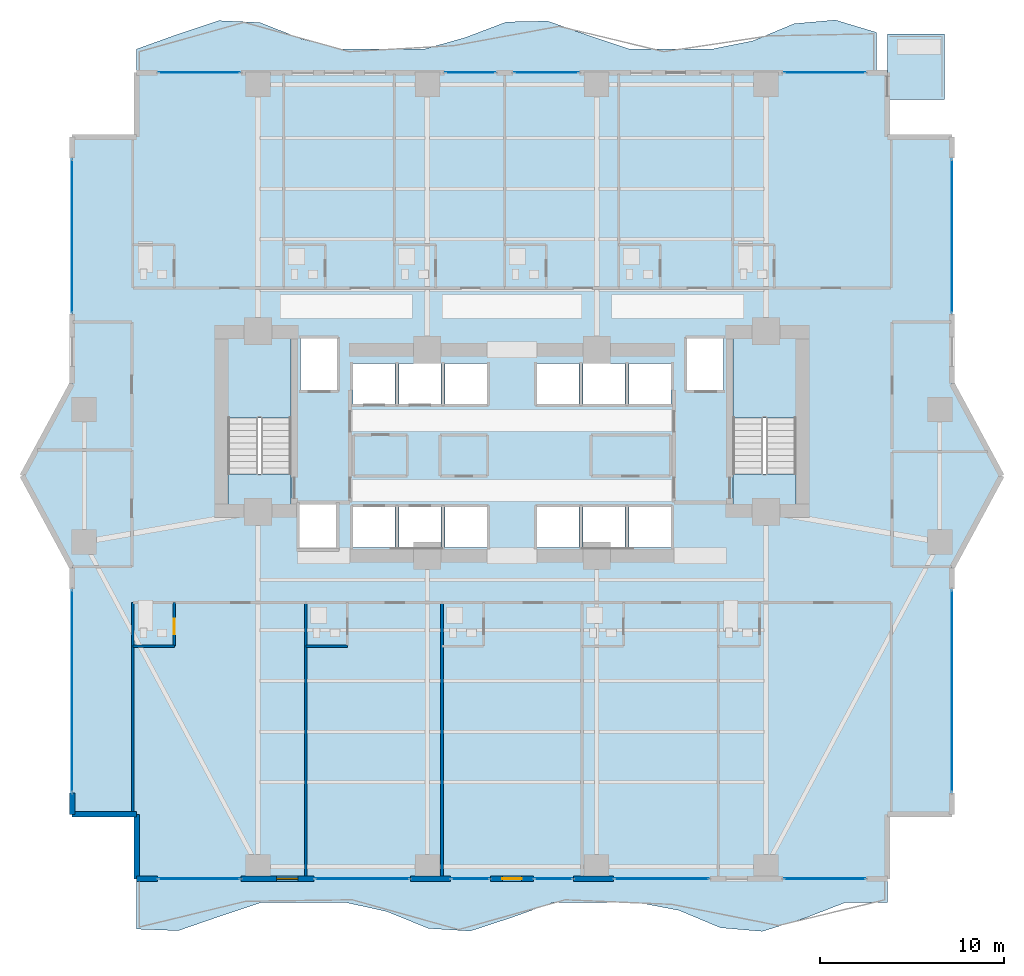
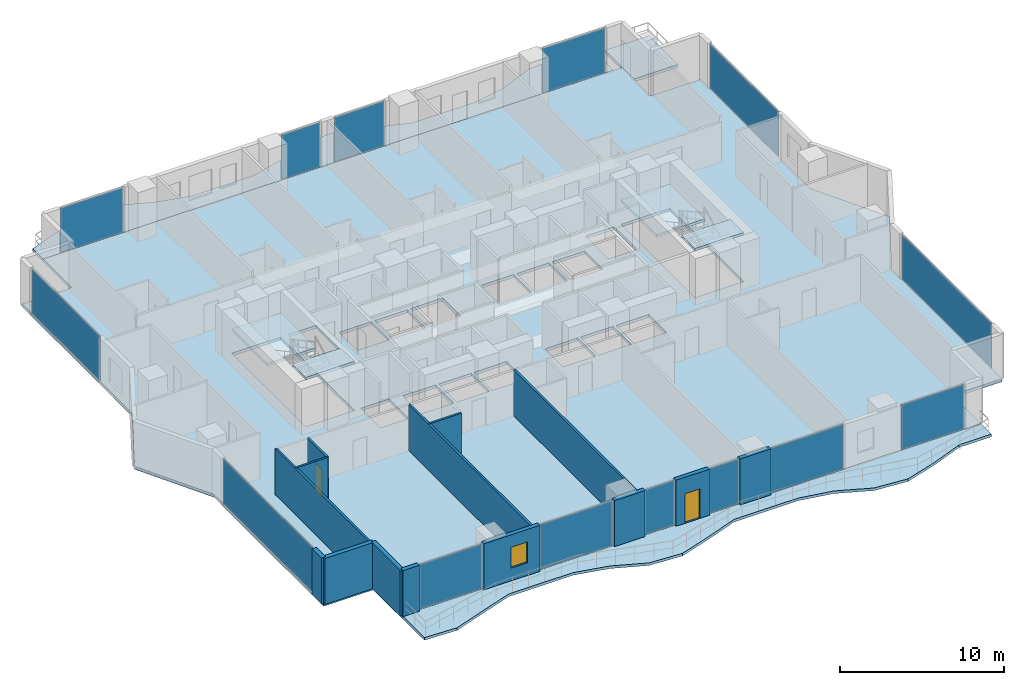
# One storey, part 19 of 27: 14 plates, 14 walls, 8 slabs, 2 doors, 1 window, 3 openings, 16 elements without a shape of their own.
"""IFC4 building model written with IfcOpenShell, lengths in metres."""

from ifc_helpers import new_model, si_unit, direction, frame, frame_2d, origin, origin_2d, place, context, subcontext, project, spatial, polyline, rectangle, outline, extrude, material, layer, layer_set, type_object, element, fill, aggregate, save


model = new_model("IFC4")

# Units and contexts
model_context = context("Model", 3, precision=1e-05, world=origin(), true_north=direction((0.0, 1.0)))
body_context = subcontext(model_context, "Body", "Model", "MODEL_VIEW")
ifc_project = project(units=[si_unit("LENGTHUNIT", "METRE"), si_unit("AREAUNIT", "SQUARE_METRE"), si_unit("VOLUMEUNIT", "CUBIC_METRE"), si_unit("PLANEANGLEUNIT", "RADIAN"), si_unit("MASSUNIT", "GRAM", prefix="KILO")], contexts=[model_context])

# Site, building, storey
site_placement = place(None, origin())
site = spatial("IfcSite", under=ifc_project, at=site_placement, CompositionType="ELEMENT")
building_placement = place(site_placement, origin())
building = spatial("IfcBuilding", under=site, at=building_placement, Name="Zuhayl Quay Hotel", CompositionType="ELEMENT")
storey_placement = place(building_placement, frame((0.0, 0.0, 102.949951171875)))
storey = spatial("IfcBuildingStorey", under=building, at=storey_placement, Name="L25", CompositionType="ELEMENT", Elevation=102.949951171875)

# Curtain wall, plate
ifc_material_1 = material(Name="Anodised Aluminium 6063-T6", Category="aluminium")
ifc_layer_1 = layer(ifc_material_1, 0.179931640625, Name="Anodised Aluminium 6063-T6", Category="aluminium")
ifc_layer_set_1 = layer_set([ifc_layer_1], Name="Anodised Aluminium 6063-T6")
curtain_wall_type = type_object("IfcCurtainWallType", Name="CW_SYS_Z2", PredefinedType="USERDEFINED", material=ifc_layer_set_1)
curtain_wall_1_placement = place(storey_placement, origin())
curtain_wall_1 = element("IfcCurtainWall", 1, at=curtain_wall_1_placement, inside=storey, type_object=curtain_wall_type, Name="L25 Curtain Wall ENV_L25_E02_CW1", ObjectType="UNITISED CURTAIN WALL", PredefinedType="USERDEFINED")
ifc_material_2 = material(Name="Dark Ceramic-Fritted Solar Glass", Category="glass")
ifc_layer_2 = layer(ifc_material_2, 0.035888671875, Name="Dark Ceramic-Fritted Solar Glass", Category="glass")
ifc_layer_set_2 = layer_set([ifc_layer_2], Name="Dark Ceramic-Fritted Solar Glass")
plate_type = type_object("IfcPlateType", Name="PN_DARK_FRIT_Z1", PredefinedType="CURTAIN_PANEL", material=ifc_layer_set_2)
plate_1_placement = place(storey_placement, frame((-23.89990234375, -5.199951171875, 0.06005859375), z_axis=(0.0, 0.0, 1.0), x_axis=(0.0, 1.0, 0.0)))
plate_1 = element("IfcPlate", 2, at=plate_1_placement, type_object=plate_type, Name="CW-Z2 panel 1.1", PredefinedType="CURTAIN_PANEL", context=body_context, shape_type="SweptSolid", body=[
    extrude(rectangle(XDim=10.969970703125, YDim=0.035888671875, at=origin_2d()), origin(), (0.0, 0.0, 1.0), 3.31005859375),
])
aggregate(curtain_wall_1, [plate_1])

curtain_wall_2_placement = place(storey_placement, origin())
curtain_wall_2 = element("IfcCurtainWall", 3, at=curtain_wall_2_placement, inside=storey, type_object=curtain_wall_type, Name="L25 Curtain Wall ENV_L25_E05_CW1", ObjectType="UNITISED CURTAIN WALL", PredefinedType="USERDEFINED")
plate_2_placement = place(storey_placement, frame((-23.89990234375, 19.52490234375, 0.06005859375), z_axis=(0.0, 0.0, 1.0), x_axis=(0.0, 1.0, 0.0)))
plate_2 = element("IfcPlate", 4, at=plate_2_placement, type_object=plate_type, Name="CW-Z2 panel 1.1", PredefinedType="CURTAIN_PANEL", context=body_context, shape_type="SweptSolid", body=[
    extrude(rectangle(XDim=8.320068359375, YDim=0.035888671875, at=origin_2d()), origin(), (0.0, 0.0, 1.0), 3.31005859375),
])
aggregate(curtain_wall_2, [plate_2])

curtain_wall_3_placement = place(storey_placement, origin())
curtain_wall_3 = element("IfcCurtainWall", 5, at=curtain_wall_3_placement, inside=storey, type_object=curtain_wall_type, Name="L25 Curtain Wall ENV_L25_N_CW1", ObjectType="UNITISED CURTAIN WALL", PredefinedType="USERDEFINED")
plate_3_placement = place(storey_placement, frame((-16.985107421875, 28.39990234375, 0.06005859375), z_axis=(0.0, 0.0, 1.0), x_axis=(1.0, 0.0, 0.0)))
plate_3 = element("IfcPlate", 6, at=plate_3_placement, type_object=plate_type, Name="CW-Z2 panel 1.1", PredefinedType="CURTAIN_PANEL", context=body_context, shape_type="SweptSolid", body=[
    extrude(rectangle(XDim=4.39990234375, YDim=0.035888671875, at=origin_2d()), origin(), (0.0, 0.0, 1.0), 3.31005859375),
])
aggregate(curtain_wall_3, [plate_3])

curtain_wall_4_placement = place(storey_placement, origin())
curtain_wall_4 = element("IfcCurtainWall", 7, at=curtain_wall_4_placement, inside=storey, type_object=curtain_wall_type, Name="L25 Curtain Wall ENV_L25_N_CW2", ObjectType="UNITISED CURTAIN WALL", PredefinedType="USERDEFINED")
plate_4_placement = place(storey_placement, frame((-2.264892578125, 28.39990234375, 0.06005859375), z_axis=(0.0, 0.0, 1.0), x_axis=(1.0, 0.0, 0.0)))
plate_4 = element("IfcPlate", 8, at=plate_4_placement, type_object=plate_type, Name="CW-Z2 panel 1.1", PredefinedType="CURTAIN_PANEL", context=body_context, shape_type="SweptSolid", body=[
    extrude(rectangle(XDim=2.699951171875, YDim=0.035888671875, at=origin_2d()), origin(), (0.0, 0.0, 1.0), 3.31005859375),
])
aggregate(curtain_wall_4, [plate_4])

curtain_wall_5_placement = place(storey_placement, origin())
curtain_wall_5 = element("IfcCurtainWall", 9, at=curtain_wall_5_placement, inside=storey, type_object=curtain_wall_type, Name="L25 Curtain Wall ENV_L25_N_CW3", ObjectType="UNITISED CURTAIN WALL", PredefinedType="USERDEFINED")
plate_5_placement = place(storey_placement, frame((1.864990234375, 28.39990234375, 0.06005859375), z_axis=(0.0, 0.0, 1.0), x_axis=(1.0, 0.0, 0.0)))
plate_5 = element("IfcPlate", 10, at=plate_5_placement, type_object=plate_type, Name="CW-Z2 panel 1.1", PredefinedType="CURTAIN_PANEL", context=body_context, shape_type="SweptSolid", body=[
    extrude(rectangle(XDim=3.5, YDim=0.035888671875, at=origin_2d()), origin(), (0.0, 0.0, 1.0), 3.31005859375),
])
aggregate(curtain_wall_5, [plate_5])

curtain_wall_6_placement = place(storey_placement, origin())
curtain_wall_6 = element("IfcCurtainWall", 11, at=curtain_wall_6_placement, inside=storey, type_object=curtain_wall_type, Name="L25 Curtain Wall ENV_L25_N_CW4", ObjectType="UNITISED CURTAIN WALL", PredefinedType="USERDEFINED")
plate_6_placement = place(storey_placement, frame((16.985107421875, 28.39990234375, 0.06005859375), z_axis=(0.0, 0.0, 1.0), x_axis=(1.0, 0.0, 0.0)))
plate_6 = element("IfcPlate", 12, at=plate_6_placement, type_object=plate_type, Name="CW-Z2 panel 1.1", PredefinedType="CURTAIN_PANEL", context=body_context, shape_type="SweptSolid", body=[
    extrude(rectangle(XDim=4.39990234375, YDim=0.035888671875, at=origin_2d()), origin(), (0.0, 0.0, 1.0), 3.31005859375),
])
aggregate(curtain_wall_6, [plate_6])

curtain_wall_7_placement = place(storey_placement, origin())
curtain_wall_7 = element("IfcCurtainWall", 13, at=curtain_wall_7_placement, inside=storey, type_object=curtain_wall_type, Name="L25 Curtain Wall ENV_L25_E11_CW1", ObjectType="UNITISED CURTAIN WALL", PredefinedType="USERDEFINED")
plate_7_placement = place(storey_placement, frame((23.89990234375, 19.52490234375, 0.06005859375), z_axis=(0.0, 0.0, 1.0), x_axis=(0.0, -1.0, 0.0)))
plate_7 = element("IfcPlate", 14, at=plate_7_placement, type_object=plate_type, Name="CW-Z2 panel 1.1", PredefinedType="CURTAIN_PANEL", context=body_context, shape_type="SweptSolid", body=[
    extrude(rectangle(XDim=8.320068359375, YDim=0.035888671875, at=origin_2d()), origin(), (0.0, 0.0, 1.0), 3.31005859375),
])
aggregate(curtain_wall_7, [plate_7])

curtain_wall_8_placement = place(storey_placement, origin())
curtain_wall_8 = element("IfcCurtainWall", 15, at=curtain_wall_8_placement, inside=storey, type_object=curtain_wall_type, Name="L25 Curtain Wall ENV_L25_E14_CW1", ObjectType="UNITISED CURTAIN WALL", PredefinedType="USERDEFINED")
plate_8_placement = place(storey_placement, frame((23.89990234375, -5.199951171875, 0.06005859375), z_axis=(0.0, 0.0, 1.0), x_axis=(0.0, -1.0, 0.0)))
plate_8 = element("IfcPlate", 16, at=plate_8_placement, type_object=plate_type, Name="CW-Z2 panel 1.1", PredefinedType="CURTAIN_PANEL", context=body_context, shape_type="SweptSolid", body=[
    extrude(rectangle(XDim=10.969970703125, YDim=0.035888671875, at=origin_2d()), origin(), (0.0, 0.0, 1.0), 3.31005859375),
])
aggregate(curtain_wall_8, [plate_8])

curtain_wall_9_placement = place(storey_placement, origin())
curtain_wall_9 = element("IfcCurtainWall", 17, at=curtain_wall_9_placement, inside=storey, type_object=curtain_wall_type, Name="L25 Curtain Wall ENV_L25_S_CW1", ObjectType="UNITISED CURTAIN WALL", PredefinedType="USERDEFINED")
plate_9_placement = place(storey_placement, frame((16.985107421875, -15.39990234375, 0.06005859375), z_axis=(0.0, 0.0, 1.0), x_axis=(-1.0, 0.0, 0.0)))
plate_9 = element("IfcPlate", 18, at=plate_9_placement, type_object=plate_type, Name="CW-Z2 panel 1.1", PredefinedType="CURTAIN_PANEL", context=body_context, shape_type="SweptSolid", body=[
    extrude(rectangle(XDim=4.39990234375, YDim=0.035888671875, at=origin_2d()), origin(), (0.0, 0.0, 1.0), 3.31005859375),
])
aggregate(curtain_wall_9, [plate_9])

curtain_wall_10_placement = place(storey_placement, origin())
curtain_wall_10 = element("IfcCurtainWall", 19, at=curtain_wall_10_placement, inside=storey, type_object=curtain_wall_type, Name="L25 Curtain Wall ENV_L25_S_CW2", ObjectType="UNITISED CURTAIN WALL", PredefinedType="USERDEFINED")
plate_10_placement = place(storey_placement, frame((8.135009765625, -15.39990234375, 0.06005859375), z_axis=(0.0, 0.0, 1.0), x_axis=(-1.0, 0.0, 0.0)))
plate_10 = element("IfcPlate", 20, at=plate_10_placement, type_object=plate_type, Name="CW-Z2 panel 1.1", PredefinedType="CURTAIN_PANEL", context=body_context, shape_type="SweptSolid", body=[
    extrude(rectangle(XDim=5.10009765625, YDim=0.035888671875, at=origin_2d()), origin(), (0.0, 0.0, 1.0), 3.31005859375),
])
aggregate(curtain_wall_10, [plate_10])

curtain_wall_11_placement = place(storey_placement, origin())
curtain_wall_11 = element("IfcCurtainWall", 21, at=curtain_wall_11_placement, inside=storey, type_object=curtain_wall_type, Name="L25 Curtain Wall ENV_L25_S_CW3", ObjectType="UNITISED CURTAIN WALL", PredefinedType="USERDEFINED")
plate_11_placement = place(storey_placement, frame((2.262451171875, -15.39990234375, 0.06005859375), z_axis=(0.0, 0.0, 1.0), x_axis=(-1.0, 0.0, 0.0)))
plate_11 = element("IfcPlate", 22, at=plate_11_placement, type_object=plate_type, Name="CW-Z2 panel 1.1", PredefinedType="CURTAIN_PANEL", context=body_context, shape_type="SweptSolid", body=[
    extrude(rectangle(XDim=2.044921875, YDim=0.035888671875, at=origin_2d()), origin(), (0.0, 0.0, 1.0), 3.31005859375),
])
aggregate(curtain_wall_11, [plate_11])

curtain_wall_12_placement = place(storey_placement, origin())
curtain_wall_12 = element("IfcCurtainWall", 23, at=curtain_wall_12_placement, inside=storey, type_object=curtain_wall_type, Name="L25 Curtain Wall ENV_L25_S_CW4", ObjectType="UNITISED CURTAIN WALL", PredefinedType="USERDEFINED")
plate_12_placement = place(storey_placement, frame((-2.262451171875, -15.39990234375, 0.06005859375), z_axis=(0.0, 0.0, 1.0), x_axis=(-1.0, 0.0, 0.0)))
plate_12 = element("IfcPlate", 24, at=plate_12_placement, type_object=plate_type, Name="CW-Z2 panel 1.1", PredefinedType="CURTAIN_PANEL", context=body_context, shape_type="SweptSolid", body=[
    extrude(rectangle(XDim=2.044921875, YDim=0.035888671875, at=origin_2d()), origin(), (0.0, 0.0, 1.0), 3.31005859375),
])
aggregate(curtain_wall_12, [plate_12])

curtain_wall_13_placement = place(storey_placement, origin())
curtain_wall_13 = element("IfcCurtainWall", 25, at=curtain_wall_13_placement, inside=storey, type_object=curtain_wall_type, Name="L25 Curtain Wall ENV_L25_S_CW5", ObjectType="UNITISED CURTAIN WALL", PredefinedType="USERDEFINED")
plate_13_placement = place(storey_placement, frame((-8.135009765625, -15.39990234375, 0.06005859375), z_axis=(0.0, 0.0, 1.0), x_axis=(-1.0, 0.0, 0.0)))
plate_13 = element("IfcPlate", 26, at=plate_13_placement, type_object=plate_type, Name="CW-Z2 panel 1.1", PredefinedType="CURTAIN_PANEL", context=body_context, shape_type="SweptSolid", body=[
    extrude(rectangle(XDim=5.10009765625, YDim=0.035888671875, at=origin_2d()), origin(), (0.0, 0.0, 1.0), 3.31005859375),
])
aggregate(curtain_wall_13, [plate_13])

curtain_wall_14_placement = place(storey_placement, origin())
curtain_wall_14 = element("IfcCurtainWall", 27, at=curtain_wall_14_placement, inside=storey, type_object=curtain_wall_type, Name="L25 Curtain Wall ENV_L25_S_CW6", ObjectType="UNITISED CURTAIN WALL", PredefinedType="USERDEFINED")
plate_14_placement = place(storey_placement, frame((-16.985107421875, -15.39990234375, 0.06005859375), z_axis=(0.0, 0.0, 1.0), x_axis=(-1.0, 0.0, 0.0)))
plate_14 = element("IfcPlate", 28, at=plate_14_placement, type_object=plate_type, Name="CW-Z2 panel 1.1", PredefinedType="CURTAIN_PANEL", context=body_context, shape_type="SweptSolid", body=[
    extrude(rectangle(XDim=4.39990234375, YDim=0.035888671875, at=origin_2d()), origin(), (0.0, 0.0, 1.0), 3.31005859375),
])
aggregate(curtain_wall_14, [plate_14])

# Slabs
ifc_material_3 = material(Name="Concrete C45/55", Category="concrete")
ifc_layer_3 = layer(ifc_material_3, 0.195068359375, Name="Concrete C45/55", Category="concrete")
ifc_layer_set_3 = layer_set([ifc_layer_3], Name="Concrete C45/55")
slab_type_1 = type_object("IfcSlabType", Name="SL_BALCONY_195", PredefinedType="FLOOR", material=ifc_layer_set_3)
slab_1_placement = place(storey_placement, frame((0.0, 0.0, -0.195068359375)))
element("IfcSlab", 29, at=slab_1_placement, inside=storey, type_object=slab_type_1, Name="L25 Exterior Rippling Balcony Slab North", PredefinedType="FLOOR", context=body_context, shape_type="SweptSolid", body=[
    extrude(outline(polyline([(-20.39990234375, 28.39990234375), (19.800048828125, 28.39990234375), (19.800048828125, 30.588134765625), (17.566650390625, 31.261474609375), (15.333251953125, 31.061279296875), (13.10009765625, 30.1318359375), (10.86669921875, 29.679931640625), (8.63330078125, 29.679931640625), (6.39990234375, 29.679931640625), (4.166748046875, 30.420654296875), (1.933349609375, 31.204833984375), (-0.300048828125, 31.15625), (-2.533203125, 30.309814453125), (-4.7666015625, 29.679931640625), (-7.0, 29.679931640625), (-9.2333984375, 29.679931640625), (-11.466796875, 30.24560546875), (-13.699951171875, 31.124267578125), (-15.933349609375, 31.228271484375), (-18.166748046875, 30.482666015625), (-20.39990234375, 29.679931640625), (-20.39990234375, 28.39990234375)])), origin(), (0.0, 0.0, 1.0), 0.195068359375),
])
slab_2_placement = place(storey_placement, frame((0.0, 0.0, -0.195068359375)))
element("IfcSlab", 30, at=slab_2_placement, inside=storey, type_object=slab_type_1, Name="L25 Exterior Rippling Balcony Slab South", PredefinedType="FLOOR", context=body_context, shape_type="SweptSolid", body=[
    extrude(outline(polyline([(-20.39990234375, -18.132568359375), (-18.13330078125, -18.217041015625), (-15.86669921875, -17.436279296875), (-13.60009765625, -16.679931640625), (-11.333251953125, -16.679931640625), (-9.066650390625, -16.679931640625), (-6.800048828125, -17.1806640625), (-4.533203125, -18.098388671875), (-2.2666015625, -18.23876953125), (0.0, -17.498046875), (2.2666015625, -16.679931640625), (4.533203125, -16.679931640625), (6.800048828125, -16.679931640625), (9.066650390625, -17.115478515625), (11.333251953125, -18.061279296875), (13.60009765625, -18.25732421875), (15.86669921875, -17.558349609375), (18.13330078125, -16.679931640625), (20.39990234375, -16.679931640625), (20.39990234375, -15.39990234375), (-20.39990234375, -15.39990234375), (-20.39990234375, -18.132568359375)])), origin(), (0.0, 0.0, 1.0), 0.195068359375),
])
ifc_layer_4 = layer(ifc_material_3, 0.219970703125, Name="Concrete C45/55", Category="concrete")
ifc_layer_set_4 = layer_set([ifc_layer_4], Name="Concrete C45/55")
slab_type_2 = type_object("IfcSlabType", Name="SL_FLOOR_220", PredefinedType="FLOOR", material=ifc_layer_set_4)
slab_3_placement = place(storey_placement, frame((0.0, 0.0, -0.219970703125)))
element("IfcSlab", 31, at=slab_3_placement, inside=storey, type_object=slab_type_2, Name="L25 Structural Floor Slab", PredefinedType="FLOOR", context=body_context, shape_type="SweptSolid", body=[
    extrude(outline(polyline([(-20.39990234375, -15.39990234375), (20.39990234375, -15.39990234375), (20.39990234375, -11.89990234375), (23.89990234375, -11.89990234375), (23.89990234375, 1.5), (26.60009765625, 6.5), (23.89990234375, 11.5), (23.89990234375, 24.89990234375), (20.39990234375, 24.89990234375), (20.39990234375, 28.39990234375), (-20.39990234375, 28.39990234375), (-20.39990234375, 24.89990234375), (-23.89990234375, 24.89990234375), (-23.89990234375, 11.5), (-26.60009765625, 6.5), (-23.89990234375, 1.5), (-23.89990234375, -11.89990234375), (-20.39990234375, -11.89990234375), (-20.39990234375, -15.39990234375)]), holes=[polyline([(-12.0, 4.949951171875), (-12.0, 13.949951171875), (-15.429931640625, 13.949951171875), (-15.429931640625, 4.949951171875), (-12.0, 4.949951171875)]), polyline([(15.429931640625, 4.949951171875), (15.429931640625, 13.949951171875), (12.0, 13.949951171875), (12.0, 4.949951171875), (15.429931640625, 4.949951171875)]), polyline([(-11.5, 11.14990234375), (-9.5, 11.14990234375), (-9.5, 13.949951171875), (-11.5, 13.949951171875), (-11.5, 11.14990234375)]), polyline([(9.5, 11.14990234375), (11.5, 11.14990234375), (11.5, 13.949951171875), (9.5, 13.949951171875), (9.5, 11.14990234375)]), polyline([(-8.64990234375, 2.60009765625), (-6.35009765625, 2.60009765625), (-6.35009765625, 4.800048828125), (-8.64990234375, 4.800048828125), (-8.64990234375, 2.60009765625)]), polyline([(-6.14990234375, 2.60009765625), (-3.85009765625, 2.60009765625), (-3.85009765625, 4.800048828125), (-6.14990234375, 4.800048828125), (-6.14990234375, 2.60009765625)]), polyline([(-8.64990234375, 10.39990234375), (-6.35009765625, 10.39990234375), (-6.35009765625, 12.60009765625), (-8.64990234375, 12.60009765625), (-8.64990234375, 10.39990234375)]), polyline([(-6.14990234375, 10.39990234375), (-3.85009765625, 10.39990234375), (-3.85009765625, 12.60009765625), (-6.14990234375, 12.60009765625), (-6.14990234375, 10.39990234375)]), polyline([(-3.64990234375, 2.60009765625), (-1.35009765625, 2.60009765625), (-1.35009765625, 4.800048828125), (-3.64990234375, 4.800048828125), (-3.64990234375, 2.60009765625)]), polyline([(1.35009765625, 2.60009765625), (3.64990234375, 2.60009765625), (3.64990234375, 4.800048828125), (1.35009765625, 4.800048828125), (1.35009765625, 2.60009765625)]), polyline([(-3.64990234375, 10.39990234375), (-1.35009765625, 10.39990234375), (-1.35009765625, 12.60009765625), (-3.64990234375, 12.60009765625), (-3.64990234375, 10.39990234375)]), polyline([(1.35009765625, 10.39990234375), (3.64990234375, 10.39990234375), (3.64990234375, 12.60009765625), (1.35009765625, 12.60009765625), (1.35009765625, 10.39990234375)]), polyline([(3.85009765625, 2.60009765625), (6.14990234375, 2.60009765625), (6.14990234375, 4.800048828125), (3.85009765625, 4.800048828125), (3.85009765625, 2.60009765625)]), polyline([(6.35009765625, 2.60009765625), (8.64990234375, 2.60009765625), (8.64990234375, 4.800048828125), (6.35009765625, 4.800048828125), (6.35009765625, 2.60009765625)]), polyline([(3.85009765625, 10.39990234375), (6.14990234375, 10.39990234375), (6.14990234375, 12.60009765625), (3.85009765625, 12.60009765625), (3.85009765625, 10.39990234375)]), polyline([(6.35009765625, 10.39990234375), (8.64990234375, 10.39990234375), (8.64990234375, 12.60009765625), (6.35009765625, 12.60009765625), (6.35009765625, 10.39990234375)]), polyline([(-11.550048828125, 2.550048828125), (-9.550048828125, 2.550048828125), (-9.550048828125, 4.949951171875), (-11.550048828125, 4.949951171875), (-11.550048828125, 2.550048828125)])]), origin(), (0.0, 0.0, 1.0), 0.219970703125),
])

# Stair, slabs
stair_type = type_object("IfcStairType", Name="ST_DOGLEG_TOWER", PredefinedType="HALF_TURN_STAIR", material=ifc_material_3)
stair_1_placement = place(storey_placement, origin())
stair_1 = element("IfcStair", 32, at=stair_1_placement, inside=storey, type_object=stair_type, Name="L25 Smokeproof Exit Stair ST1", PredefinedType="HALF_TURN_STAIR")
ifc_layer_5 = layer(ifc_material_3, 0.199951171875, Name="Concrete C45/55", Category="concrete")
ifc_layer_set_5 = layer_set([ifc_layer_5], Name="Concrete C45/55")
slab_type_3 = type_object("IfcSlabType", Name="SL_STAIR_LANDING_200", PredefinedType="LANDING", material=ifc_layer_set_5)
slab_4_placement = place(storey_placement, frame((0.0, 0.0, 1.625)))
slab_4 = element("IfcSlab", 33, at=slab_4_placement, type_object=slab_type_3, Name="ST1 landing 1", PredefinedType="LANDING", context=body_context, shape_type="SweptSolid", body=[
    extrude(outline(polyline([(-12.0, 9.64990234375), (-12.0, 13.949951171875), (-15.429931640625, 13.949951171875), (-15.429931640625, 9.64990234375), (-12.0, 9.64990234375)])), origin(), (0.0, 0.0, 1.0), 0.199951171875),
])
slab_5_placement = place(storey_placement, frame((0.0, 0.0, 3.449951171875)))
slab_5 = element("IfcSlab", 34, at=slab_5_placement, type_object=slab_type_3, Name="ST1 landing 2", PredefinedType="LANDING", context=body_context, shape_type="SweptSolid", body=[
    extrude(outline(polyline([(-12.0, 4.949951171875), (-12.0, 6.590087890625), (-15.429931640625, 6.590087890625), (-15.429931640625, 4.949951171875), (-12.0, 4.949951171875)])), origin(), (0.0, 0.0, 1.0), 0.2001953125),
])
aggregate(stair_1, [slab_4, slab_5])

stair_2_placement = place(storey_placement, origin())
stair_2 = element("IfcStair", 35, at=stair_2_placement, inside=storey, type_object=stair_type, Name="L25 Smokeproof Exit Stair ST2", PredefinedType="HALF_TURN_STAIR")
slab_6_placement = place(storey_placement, frame((0.0, 0.0, 1.625)))
slab_6 = element("IfcSlab", 36, at=slab_6_placement, type_object=slab_type_3, Name="ST2 landing 1", PredefinedType="LANDING", context=body_context, shape_type="SweptSolid", body=[
    extrude(outline(polyline([(15.429931640625, 9.64990234375), (15.429931640625, 13.949951171875), (12.0, 13.949951171875), (12.0, 9.64990234375), (15.429931640625, 9.64990234375)])), origin(), (0.0, 0.0, 1.0), 0.199951171875),
])
slab_7_placement = place(storey_placement, frame((0.0, 0.0, 3.449951171875)))
slab_7 = element("IfcSlab", 37, at=slab_7_placement, type_object=slab_type_3, Name="ST2 landing 2", PredefinedType="LANDING", context=body_context, shape_type="SweptSolid", body=[
    extrude(outline(polyline([(15.429931640625, 4.949951171875), (15.429931640625, 6.590087890625), (12.0, 6.590087890625), (12.0, 4.949951171875), (15.429931640625, 4.949951171875)])), origin(), (0.0, 0.0, 1.0), 0.2001953125),
])
aggregate(stair_2, [slab_6, slab_7])

# Slab
ifc_layer_6 = layer(ifc_material_3, 0.219970703125, Name="Concrete C45/55", Category="concrete")
ifc_layer_set_6 = layer_set([ifc_layer_6], Name="Concrete C45/55")
slab_type_4 = type_object("IfcSlabType", Name="SL_TERRACE_235", PredefinedType="FLOOR", material=ifc_layer_set_6)
slab_8_placement = place(storey_placement, frame((0.0, 0.0, -0.219970703125)))
element("IfcSlab", 38, at=slab_8_placement, inside=storey, type_object=slab_type_4, Name="L25 Exterior Sky-Terrace Slab L25_SPIRAL_NE", PredefinedType="FLOOR", context=body_context, shape_type="SweptSolid", body=[
    extrude(outline(polyline([(20.39990234375, 26.949951171875), (23.5, 26.949951171875), (23.5, 30.5), (20.39990234375, 30.5), (20.39990234375, 26.949951171875)])), origin(), (0.0, 0.0, 1.0), 0.219970703125),
])

# Walls
ifc_material_4 = material(Name="Precast concrete C45/55", Category="concrete")
ifc_layer_7 = layer(ifc_material_4, 0.300048828125, Name="Precast concrete C45/55", Category="concrete")
ifc_layer_set_7 = layer_set([ifc_layer_7], Name="Precast concrete C45/55")
wall_type_1 = type_object("IfcWallType", Name="WL_EXT_300", PredefinedType="STANDARD", material=ifc_layer_set_7)
wall_1_placement = place(storey_placement, frame((-20.39990234375, -11.89990234375, 0.0), z_axis=(0.0, 0.0, 1.0), x_axis=(-1.0, 0.0, 0.0)))
element("IfcWall", 39, at=wall_1_placement, inside=storey, type_object=wall_type_1, Name="L25 Exterior Precast Wall ENV_L25_EW01", PredefinedType="STANDARD", context=body_context, shape_type="SweptSolid", body=[
    extrude(rectangle(XDim=3.5, YDim=0.300048828125, at=frame_2d((1.75, 0.0))), origin(), (0.0, 0.0, 1.0), 3.429931640625),
])
wall_2_placement = place(storey_placement, frame((-23.89990234375, -11.89990234375, 0.0), z_axis=(0.0, 0.0, 1.0), x_axis=(0.0, 1.0, 0.0)))
element("IfcWall", 40, at=wall_2_placement, inside=storey, type_object=wall_type_1, Name="L25 Exterior Precast Wall ENV_L25_E02_EW1", PredefinedType="STANDARD", context=body_context, shape_type="SweptSolid", body=[
    extrude(rectangle(XDim=1.14990234375, YDim=0.300048828125, at=frame_2d((0.574951171875, 0.0))), origin(), (0.0, 0.0, 1.0), 3.429931640625),
])
wall_3_placement = place(storey_placement, frame((5.52001953125, -15.39990234375, 0.0), z_axis=(0.0, 0.0, 1.0), x_axis=(-1.0, 0.0, 0.0)))
element("IfcWall", 41, at=wall_3_placement, inside=storey, type_object=wall_type_1, Name="L25 Exterior Precast Wall ENV_L25_S_EW3", PredefinedType="STANDARD", context=body_context, shape_type="SweptSolid", body=[
    extrude(rectangle(XDim=2.169921875, YDim=0.300048828125, at=frame_2d((1.0849609375, 0.0))), origin(), (0.0, 0.0, 1.0), 3.429931640625),
])

# Wall, opening, door
wall_4_placement = place(storey_placement, frame((1.175048828125, -15.39990234375, 0.0), z_axis=(0.0, 0.0, 1.0), x_axis=(-1.0, 0.0, 0.0)))
wall_4 = element("IfcWall", 42, at=wall_4_placement, inside=storey, type_object=wall_type_1, Name="L25 Exterior Precast Wall ENV_L25_S_EW4", PredefinedType="STANDARD", context=body_context, shape_type="SweptSolid", body=[
    extrude(rectangle(XDim=2.35009765625, YDim=0.300048828125, at=frame_2d((1.175048828125, 0.0))), origin(), (0.0, 0.0, 1.0), 3.429931640625),
])
opening_1_placement = place(wall_4_placement, frame((0.64990234375, 0.0, 0.0)))
opening_1 = element("IfcOpeningElement", 43, at=opening_1_placement, cuts=wall_4, Name="Opening DG1", PredefinedType="OPENING", context=body_context, shape_type="SweptSolid", body=[
    extrude(rectangle(XDim=1.050048828125, YDim=2.199951171875, at=frame_2d((0.52490234375, 1.10009765625))), frame((0.0, 0.159912109375, 0.0), z_axis=(0.0, -1.0, 0.0), x_axis=(1.0, 0.0, 0.0)), (0.0, 0.0, 1.0), 0.320068359375),
])
ifc_material_5 = material(Name="Anodised Aluminium and Dark Solar Glass", Category="aluminium")
door_type_1 = type_object("IfcDoorType", Name="DR_EXT_TERR_1050", OperationType="NOTDEFINED", PredefinedType="DOOR", material=ifc_material_5)
door_1_placement = place(opening_1_placement, origin())
door_1 = element("IfcDoor", 44, at=door_1_placement, inside=storey, type_object=door_type_1, Name="L25 South Rippling Balcony Door", OperationType="SINGLE_SWING_RIGHT", OverallHeight=2.199951171875, OverallWidth=1.050048828125, PredefinedType="DOOR", context=body_context, shape_type="SweptSolid", body=[
    extrude(rectangle(XDim=1.050048828125, YDim=2.199951171875, at=frame_2d((0.52490234375, 1.10009765625))), frame((0.0, 0.02490234375, 0.0), z_axis=(0.0, -1.0, 0.0), x_axis=(1.0, 0.0, 0.0)), (0.0, 0.0, 1.0), 0.050048828125),
])
fill(opening_1, door_1)

# Wall
wall_5_placement = place(storey_placement, frame((-3.35009765625, -15.39990234375, 0.0), z_axis=(0.0, 0.0, 1.0), x_axis=(-1.0, 0.0, 0.0)))
element("IfcWall", 45, at=wall_5_placement, inside=storey, type_object=wall_type_1, Name="L25 Exterior Precast Wall ENV_L25_S_EW5", PredefinedType="STANDARD", context=body_context, shape_type="SweptSolid", body=[
    extrude(rectangle(XDim=2.169921875, YDim=0.300048828125, at=frame_2d((1.0849609375, 0.0))), origin(), (0.0, 0.0, 1.0), 3.429931640625),
])

# Wall, opening, window
wall_6_placement = place(storey_placement, frame((-10.75, -15.39990234375, 0.0), z_axis=(0.0, 0.0, 1.0), x_axis=(-1.0, 0.0, 0.0)))
wall_6 = element("IfcWall", 46, at=wall_6_placement, inside=storey, type_object=wall_type_1, Name="L25 Exterior Precast Wall ENV_L25_S_EW6", PredefinedType="STANDARD", context=body_context, shape_type="SweptSolid", body=[
    extrude(rectangle(XDim=3.969970703125, YDim=0.300048828125, at=frame_2d((1.98486328125, 0.0))), origin(), (0.0, 0.0, 1.0), 3.429931640625),
])
opening_2_placement = place(wall_6_placement, frame((0.885009765625, 0.0, 0.949951171875)))
opening_2 = element("IfcOpeningElement", 47, at=opening_2_placement, cuts=wall_6, Name="Opening W01N", PredefinedType="OPENING", context=body_context, shape_type="SweptSolid", body=[
    extrude(rectangle(XDim=1.14990234375, YDim=1.550048828125, at=frame_2d((0.574951171875, 0.77490234375))), frame((0.0, 0.159912109375, 0.0), z_axis=(0.0, -1.0, 0.0), x_axis=(1.0, 0.0, 0.0)), (0.0, 0.0, 1.0), 0.320068359375),
])
window_type = type_object("IfcWindowType", Name="WN_NOTCH_1350", PartitioningType="SINGLE_PANEL", PredefinedType="WINDOW", material=ifc_material_2)
window_placement = place(opening_2_placement, origin())
window = element("IfcWindow", 48, at=window_placement, inside=storey, type_object=window_type, Name="L25 Operable Facade Window 6-1", OverallHeight=1.550048828125, OverallWidth=1.14990234375, PartitioningType="SINGLE_PANEL", PredefinedType="WINDOW", context=body_context, shape_type="SweptSolid", body=[
    extrude(rectangle(XDim=1.14990234375, YDim=1.550048828125, at=frame_2d((0.574951171875, 0.77490234375))), frame((0.0, 0.030029296875, 0.0), z_axis=(0.0, -1.0, 0.0), x_axis=(1.0, 0.0, 0.0)), (0.0, 0.0, 1.0), 0.06005859375),
])
fill(opening_2, window)

# Walls
wall_7_placement = place(storey_placement, frame((-19.25, -15.39990234375, 0.0), z_axis=(0.0, 0.0, 1.0), x_axis=(-1.0, 0.0, 0.0)))
element("IfcWall", 49, at=wall_7_placement, inside=storey, type_object=wall_type_1, Name="L25 Exterior Precast Wall ENV_L25_S_EW7", PredefinedType="STANDARD", context=body_context, shape_type="SweptSolid", body=[
    extrude(rectangle(XDim=1.14990234375, YDim=0.300048828125, at=frame_2d((0.574951171875, 0.0))), origin(), (0.0, 0.0, 1.0), 3.429931640625),
])
wall_8_placement = place(storey_placement, frame((-20.39990234375, -15.39990234375, 0.0), z_axis=(0.0, 0.0, 1.0), x_axis=(0.0, 1.0, 0.0)))
element("IfcWall", 50, at=wall_8_placement, inside=storey, type_object=wall_type_1, Name="L25 Exterior Precast Wall ENV_L25_EW18", PredefinedType="STANDARD", context=body_context, shape_type="SweptSolid", body=[
    extrude(rectangle(XDim=3.5, YDim=0.300048828125, at=frame_2d((1.75, 0.0))), origin(), (0.0, 0.0, 1.0), 3.429931640625),
])
ifc_material_6 = material(Name="Acoustic Gypsum Partition STC-58")
ifc_layer_8 = layer(ifc_material_6, 0.14990234375, Name="Acoustic Gypsum Partition STC-58")
ifc_layer_set_8 = layer_set([ifc_layer_8], Name="Acoustic Gypsum Partition STC-58")
wall_type_2 = type_object("IfcWallType", Name="WL_PART_150", PredefinedType="PARTITIONING", material=ifc_layer_set_8)
wall_9_placement = place(storey_placement, frame((-20.60009765625, -11.89990234375, 0.0), z_axis=(0.0, 0.0, 1.0), x_axis=(0.0, 1.0, 0.0)))
element("IfcWall", 51, at=wall_9_placement, inside=storey, type_object=wall_type_2, Name="L25 Partition IW_L25_SU01_W", PredefinedType="PARTITIONING", context=body_context, shape_type="SweptSolid", body=[
    extrude(rectangle(XDim=11.5, YDim=0.14990234375, at=frame_2d((5.75, 0.0))), origin(), (0.0, 0.0, 1.0), 3.429931640625),
])
for number, where, z_axis, x_axis, name in (
    (52, (-11.199951171875, -15.320068359375, 0.0), (0.0, 0.0, 1.0), (0.0, 1.0, 0.0), "L25 Partition IW_L25_SU01_E"),
    (53, (-3.800048828125, -15.320068359375, 0.0), (0.0, 0.0, 1.0), (0.0, 1.0, 0.0), "L25 Partition IW_L25_SU02_E"),
):
    element("IfcWall", number, at=place(storey_placement, frame(where, z_axis=z_axis, x_axis=x_axis)), inside=storey, type_object=wall_type_2, Name=name, PredefinedType="PARTITIONING", context=body_context, shape_type="SweptSolid", body=[
        extrude(rectangle(XDim=14.920166015625, YDim=0.14990234375, at=frame_2d((7.4599609375, 0.0))), origin(), (0.0, 0.0, 1.0), 3.429931640625),
    ])

# Wall, opening, door
ifc_material_7 = material(Name="Moisture-Resistant Sanitarychase Gypsum")
ifc_layer_9 = layer(ifc_material_7, 0.135009765625, Name="Moisture-Resistant Sanitarychase Gypsum")
ifc_layer_set_9 = layer_set([ifc_layer_9], Name="Moisture-Resistant Sanitarychase Gypsum")
wall_type_3 = type_object("IfcWallType", Name="WL_PART_PLUMB_150", PredefinedType="PLUMBINGWALL", material=ifc_layer_set_9)
wall_10_placement = place(storey_placement, frame((-18.340087890625, -2.760009765625, 0.0), z_axis=(0.0, 0.0, 1.0), x_axis=(0.0, 1.0, 0.0)))
wall_10 = element("IfcWall", 54, at=wall_10_placement, inside=storey, type_object=wall_type_3, Name="L25 Partition IW_L25_SU01_BE", PredefinedType="PLUMBINGWALL", context=body_context, shape_type="SweptSolid", body=[
    extrude(rectangle(XDim=2.360107421875, YDim=0.135009765625, at=frame_2d((1.18017578125, 0.0))), origin(), (0.0, 0.0, 1.0), 3.429931640625),
])
opening_3_placement = place(wall_10_placement, frame((0.64990234375, 0.0, 0.0)))
opening_3 = element("IfcOpeningElement", 55, at=opening_3_placement, cuts=wall_10, Name="Opening D04", PredefinedType="OPENING", context=body_context, shape_type="SweptSolid", body=[
    extrude(rectangle(XDim=0.85009765625, YDim=2.10009765625, at=frame_2d((0.425048828125, 1.050048828125))), frame((0.0, 0.077392578125, 0.0), z_axis=(0.0, -1.0, 0.0), x_axis=(1.0, 0.0, 0.0)), (0.0, 0.0, 1.0), 0.155029296875),
])
ifc_material_8 = material(Name="Moisture-Resistant Walnut Veneer")
door_type_2 = type_object("IfcDoorType", Name="DR_BATH_850", OperationType="NOTDEFINED", PredefinedType="DOOR", material=ifc_material_8)
door_2_placement = place(opening_3_placement, origin())
door_2 = element("IfcDoor", 56, at=door_2_placement, inside=storey, type_object=door_type_2, Name="L25 City-View Junior Suite L25-01 En-Suite Door", OperationType="SINGLE_SWING_LEFT", OverallHeight=2.10009765625, OverallWidth=0.85009765625, PredefinedType="DOOR", context=body_context, shape_type="SweptSolid", body=[
    extrude(rectangle(XDim=0.85009765625, YDim=2.10009765625, at=frame_2d((0.425048828125, 1.050048828125))), frame((0.0, 0.02490234375, 0.0), z_axis=(0.0, -1.0, 0.0), x_axis=(1.0, 0.0, 0.0)), (0.0, 0.0, 1.0), 0.050048828125),
])
fill(opening_3, door_2)

# Walls
for number, where, z_axis, x_axis, name in (
    (57, (-20.60009765625, -2.760009765625, 0.0), (0.0, 0.0, 1.0), (1.0, 0.0, 0.0), "L25 Partition IW_L25_SU01_BS"),
    (58, (-11.199951171875, -2.760009765625, 0.0), (0.0, 0.0, 1.0), (1.0, 0.0, 0.0), "L25 Partition IW_L25_SU02_BS"),
):
    element("IfcWall", number, at=place(storey_placement, frame(where, z_axis=z_axis, x_axis=x_axis)), inside=storey, type_object=wall_type_3, Name=name, PredefinedType="PLUMBINGWALL", context=body_context, shape_type="SweptSolid", body=[
        extrude(rectangle(XDim=2.260009765625, YDim=0.135009765625, at=frame_2d((1.1298828125, 0.0))), origin(), (0.0, 0.0, 1.0), 3.429931640625),
    ])

save(model, "model.ifc")
